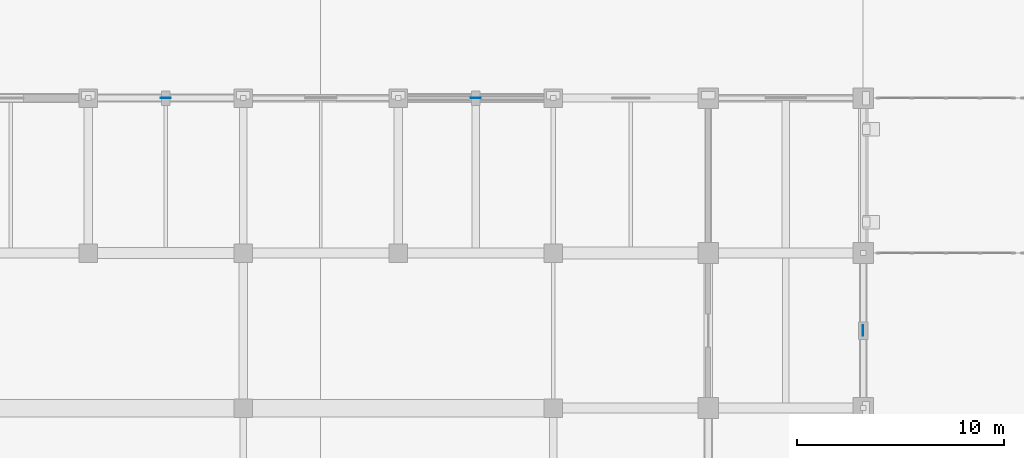
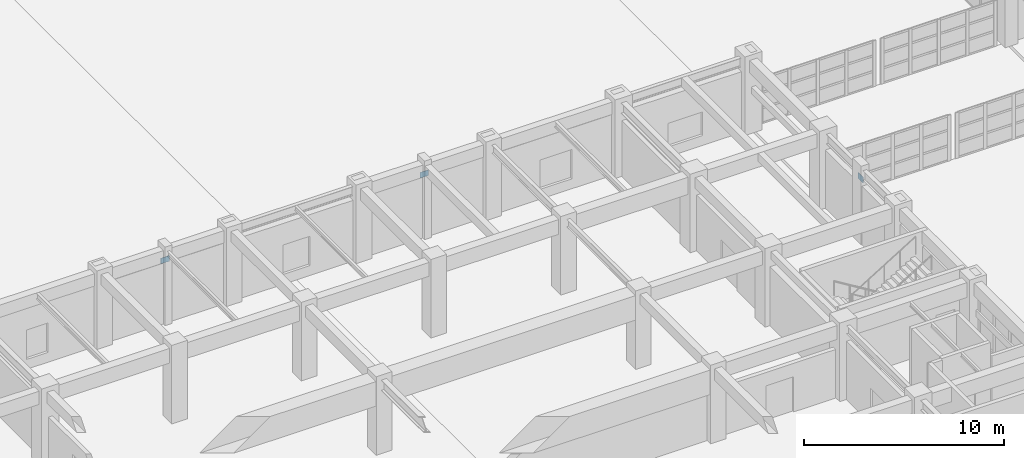
# One storey, part 83 of 122: 3 plates.
"""IFC4 building model written with IfcOpenShell, lengths in metres."""

from ifc_helpers import new_model, si_unit, direction, frame, origin, origin_2d, place, context, subcontext, project, spatial, rectangle, extrude, material, layer, layer_set, type_object, element, save


model = new_model("IFC4")

# Units and contexts
model_context = context("Model", 3, precision=1e-05, world=origin(), true_north=direction((0.0, 1.0)))
body_context = subcontext(model_context, "Body", "Model", "MODEL_VIEW")
ifc_project = project(units=[si_unit("LENGTHUNIT", "METRE"), si_unit("AREAUNIT", "SQUARE_METRE"), si_unit("VOLUMEUNIT", "CUBIC_METRE"), si_unit("PLANEANGLEUNIT", "RADIAN"), si_unit("MASSUNIT", "GRAM", prefix="KILO")], contexts=[model_context])

# Site, building, storey
site_placement = place(None, origin())
site = spatial("IfcSite", under=ifc_project, at=site_placement, CompositionType="ELEMENT")
building_placement = place(site_placement, origin())
building = spatial("IfcBuilding", under=site, at=building_placement, Name="Qasida Concert Hall", CompositionType="ELEMENT")
storey_placement = place(building_placement, origin())
storey = spatial("IfcBuildingStorey", under=building, at=storey_placement, Name="L00", CompositionType="ELEMENT", Elevation=0.0)

# Plates
ifc_material = material(Name="Steel S355J2", Category="steel")
ifc_layer = layer(ifc_material, 0.02197265625, Name="Steel S355J2")
ifc_layer_set = layer_set([ifc_layer], Name="Steel S355J2")
plate_type = type_object("IfcPlateType", Name="PLT-PL-EC5", PredefinedType="SHEET", material=ifc_layer_set)
for number, where, z_axis, x_axis, name in (
    (1, (105.0, 71.25, 3.60009765625), (0.0, 0.0, 1.0), (0.0, 1.0, 0.0), "Chevron apex plate CBF-0077"),
    (2, (71.25, 82.5, 3.580078125), (0.0, 0.0, 1.0), (1.0, 0.0, 0.0), "Chevron apex plate CBF-0083"),
    (3, (86.25, 82.5, 3.580078125), (0.0, 0.0, 1.0), (1.0, 0.0, 0.0), "Chevron apex plate CBF-0089"),
):
    element("IfcPlate", number, at=place(storey_placement, frame(where, z_axis=z_axis, x_axis=x_axis)), inside=storey, type_object=plate_type, Name=name, PredefinedType="SHEET", context=body_context, shape_type="SweptSolid", body=[
        extrude(rectangle(XDim=0.5, YDim=0.02197265625, at=origin_2d()), origin(), (0.0, 0.0, 1.0), 0.340087890625),
    ])

save(model, "model.ifc")
